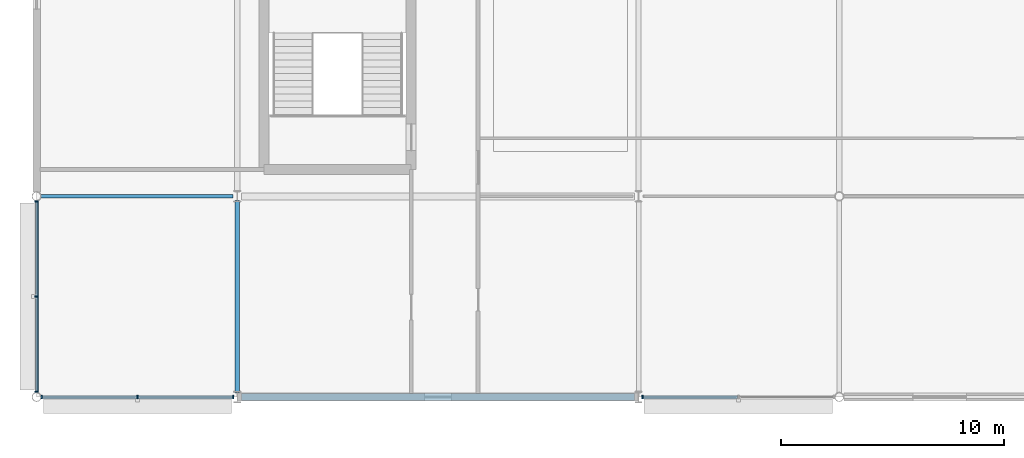
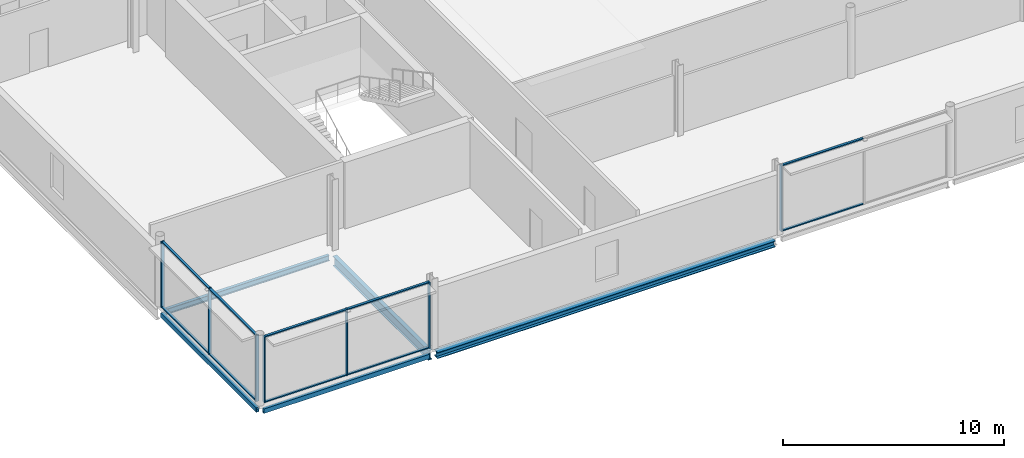
# One storey, part 17 of 96: 17 members, 5 beams, 3 elements without a shape of their own.
"""IFC4 building model written with IfcOpenShell, lengths in metres."""

import ifcopenshell
import ifcopenshell.guid

model = None  # the IFC model being written
_history = None  # IfcOwnerHistory: only IFC2X3 demands one
_inside = {}  # id of a spatial element -> (the spatial element, [elements in it])
_under = {}  # id of a project, library or spatial element -> (it, [spatial elements below it])
_declared = {}  # id of a project -> (the project, [libraries it declares])
_typed = {}  # id of a type object -> (the type object, [elements of that type])
_made_of = {}  # id of a material, layer set ... -> (it, [elements and type objects made of it])


def new_model(schema):
    """Start an empty IFC model of exactly this schema.

    Asked for "IFC4X3", IfcOpenShell would pick the latest addendum, in which some entities
    have other attributes; the version numbers below select the first issue.
    IFC2X3 requires an IfcOwnerHistory on every rooted entity: one is made here for all.
    """
    global model, _history
    if schema == "IFC4X3":
        model = ifcopenshell.file(schema_version=(4, 3, 0, 0))
    else:
        model = ifcopenshell.file(schema=schema)
    _inside.clear()
    _under.clear()
    _declared.clear()
    _typed.clear()
    _made_of.clear()
    _history = None
    if model.schema == "IFC2X3":
        org = make("IfcOrganization", Name="unknown")
        user = make(
            "IfcPersonAndOrganization",
            ThePerson=make("IfcPerson", FamilyName="unknown"),
            TheOrganization=org,
        )
        app = make(
            "IfcApplication",
            ApplicationDeveloper=org,
            Version="unknown",
            ApplicationFullName="unknown",
            ApplicationIdentifier="unknown",
        )
        _history = make(
            "IfcOwnerHistory",
            OwningUser=user,
            OwningApplication=app,
            ChangeAction="ADDED",
            CreationDate=0,
        )
    return model


def make(cls, **values):
    """One entity of the class cls with the attributes given. An attribute that is None is left unset."""
    return model.create_entity(
        cls, **{name: value for name, value in values.items() if value is not None}
    )


def rooted(cls, **values):
    """An entity with a GlobalId (a new one), such as an element, a storey or a relation."""
    return make(cls, GlobalId=ifcopenshell.guid.new(), OwnerHistory=_history, **values)


def si_unit(unit_type, name, prefix=None):
    """IfcSIUnit, for example si_unit("LENGTHUNIT", "METRE", prefix="MILLI")."""
    return make("IfcSIUnit", UnitType=unit_type, Prefix=prefix, Name=name)


def assignment(units):
    """IfcUnitAssignment: the units of a project."""
    return None if units is None else make("IfcUnitAssignment", Units=units)


def point(xyz):
    """IfcCartesianPoint."""
    return None if xyz is None else make("IfcCartesianPoint", Coordinates=xyz)


def direction(xyz):
    """IfcDirection."""
    return None if xyz is None else make("IfcDirection", DirectionRatios=xyz)


def frame(location, z_axis=None, x_axis=None):
    """IfcAxis2Placement3D, a coordinate frame: its origin and axes. An axis left out is left unset."""
    return make(
        "IfcAxis2Placement3D",
        Location=point(location),
        Axis=direction(z_axis),
        RefDirection=direction(x_axis),
    )


def frame_2d(location, x_axis=None):
    """IfcAxis2Placement2D, a coordinate frame in the plane: its origin and x axis."""
    return make(
        "IfcAxis2Placement2D", Location=point(location), RefDirection=direction(x_axis)
    )


def origin():
    """The frame at (0, 0, 0) with its axes left unset."""
    return frame((0.0, 0.0, 0.0))


def origin_2d():
    """The frame at (0, 0) in the plane with its x axis left unset."""
    return frame_2d((0.0, 0.0))


def place(relative_to, where):
    """IfcLocalPlacement: puts the frame where relative to a parent placement (None: the world)."""
    return make(
        "IfcLocalPlacement", PlacementRelTo=relative_to, RelativePlacement=where
    )


def context(
    kind, dimensions, precision=None, world=None, true_north=None, identifier=None
):
    """IfcGeometricRepresentationContext, for example the 3D "Model" context."""
    return make(
        "IfcGeometricRepresentationContext",
        ContextIdentifier=identifier,
        ContextType=kind,
        CoordinateSpaceDimension=dimensions,
        Precision=precision,
        WorldCoordinateSystem=world,
        TrueNorth=true_north,
    )


def subcontext(parent, identifier, kind, view, scale=None):
    """IfcGeometricRepresentationSubContext, for example "Body" below "Model"."""
    return make(
        "IfcGeometricRepresentationSubContext",
        ContextIdentifier=identifier,
        ContextType=kind,
        ParentContext=parent,
        TargetScale=scale,
        TargetView=view,
    )


def project(units=None, contexts=None):
    """IfcProject with its units and contexts."""
    return rooted(
        "IfcProject",
        Name="project",
        RepresentationContexts=contexts,
        UnitsInContext=assignment(units),
    )


def spatial(cls, under=None, at=None, **own):
    """A site, building, storey or space (cls), placed at a placement, below another one or the project."""
    s = rooted(cls, ObjectPlacement=at, **own)
    if under is not None:
        _under.setdefault(under.id(), (under, []))[1].append(s)
    return s


def profile(cls, at=None, kind="AREA", **sizes):
    """A parametric profile (cls). Its sizes go by their IFC names, for example OverallWidth=200.0."""
    return make(cls, ProfileType=kind, Position=at, **sizes)


def rectangle(**sizes):
    """IfcRectangleProfileDef."""
    return profile("IfcRectangleProfileDef", **sizes)


def hollow_rectangle(**sizes):
    """IfcRectangleHollowProfileDef."""
    return profile("IfcRectangleHollowProfileDef", **sizes)


def i_section(**sizes):
    """IfcIShapeProfileDef."""
    return profile("IfcIShapeProfileDef", **sizes)


def extrude(swept, where, along, depth):
    """IfcExtrudedAreaSolid: the profile swept, set in the frame where, extruded along a direction by depth."""
    return make(
        "IfcExtrudedAreaSolid",
        SweptArea=swept,
        Position=where,
        ExtrudedDirection=direction(along),
        Depth=depth,
    )


def shape(context_of_items, identifier, shape_type, items):
    """IfcShapeRepresentation: the items that make up one representation, for example the "Body"."""
    return make(
        "IfcShapeRepresentation",
        ContextOfItems=context_of_items,
        RepresentationIdentifier=identifier,
        RepresentationType=shape_type,
        Items=items,
    )


def material(Name=None, Category=None):
    """IfcMaterial."""
    return make("IfcMaterial", Name=Name, Category=Category)


def layer(
    of_material, thickness, ventilated=None, Name=None, Category=None, Priority=None
):
    """IfcMaterialLayer: one layer of a wall or slab, of a material (None: an air gap)."""
    return make(
        "IfcMaterialLayer",
        Material=of_material,
        LayerThickness=thickness,
        IsVentilated=ventilated,
        Name=Name,
        Category=Category,
        Priority=Priority,
    )


def layer_set(layers, Name=None):
    """IfcMaterialLayerSet."""
    return make("IfcMaterialLayerSet", MaterialLayers=layers, LayerSetName=Name)


def material_profile(
    of_material, cross_section, Name=None, Category=None, Priority=None
):
    """IfcMaterialProfile: a cross section and its material."""
    return make(
        "IfcMaterialProfile",
        Name=Name,
        Material=of_material,
        Profile=cross_section,
        Priority=Priority,
        Category=Category,
    )


def profile_set(profiles, Name=None, composite=None):
    """IfcMaterialProfileSet."""
    return make(
        "IfcMaterialProfileSet",
        Name=Name,
        MaterialProfiles=profiles,
        CompositeProfile=composite,
    )


def made_of(thing, what):
    """Note that an element or type object is made of a material, layer set ...; save() writes the relation."""
    if what is not None:
        _made_of.setdefault(what.id(), (what, []))[1].append(thing)
    return thing


def type_object(cls, material=None, **own):
    """A type object (cls), such as IfcWallType, which elements share."""
    return made_of(rooted(cls, **own), material)


def element(
    cls,
    number,
    at=None,
    inside=None,
    cuts=None,
    type_object=None,
    material=None,
    context=None,
    identifier="Body",
    shape_type=None,
    held_by="IfcProductDefinitionShape",
    body=None,
    shapes=None,
    **own,
):
    """One element of the class cls, such as IfcWall. Its Tag is "e" and its number.

    at: its placement. inside: the storey or other place that contains it. cuts: it is an
    opening in that element (IfcRelVoidsElement). A single representation is given by context,
    identifier, shape_type and body (its items); several are given by shapes. held_by: the class
    of the entity that holds the representations. save() writes the other relations.
    """
    e = rooted(cls, Tag="e%d" % number, ObjectPlacement=at, **own)
    if body is not None:
        shapes = [shape(context, identifier, shape_type, body)]
    if shapes is not None:
        e.Representation = make(held_by, Representations=shapes)
    if inside is not None:
        _inside.setdefault(inside.id(), (inside, []))[1].append(e)
    if cuts is not None:
        rooted(
            "IfcRelVoidsElement", RelatingBuildingElement=cuts, RelatedOpeningElement=e
        )
    if type_object is not None:
        _typed.setdefault(type_object.id(), (type_object, []))[1].append(e)
    return made_of(e, material)


def aggregate(whole, parts):
    """IfcRelAggregates: a whole, such as a stair, and the parts it consists of."""
    return rooted("IfcRelAggregates", RelatingObject=whole, RelatedObjects=parts)


def save(model, path):
    """Write the relations noted so far, then the file.

    IfcRelAggregates (storeys below a building ...), IfcRelContainedInSpatialStructure (elements
    in a storey), IfcRelDefinesByType, IfcRelAssociatesMaterial and IfcRelDeclares: one each for
    every whole, place, type object, material and project.
    """
    for whole, parts in _under.values():
        aggregate(whole, parts)
    for where, things in _inside.values():
        rooted(
            "IfcRelContainedInSpatialStructure",
            RelatedElements=things,
            RelatingStructure=where,
        )
    for kind, things in _typed.values():
        rooted("IfcRelDefinesByType", RelatedObjects=things, RelatingType=kind)
    for what, things in _made_of.values():
        rooted("IfcRelAssociatesMaterial", RelatedObjects=things, RelatingMaterial=what)
    for by, libraries in _declared.values():
        rooted("IfcRelDeclares", RelatingContext=by, RelatedDefinitions=libraries)
    model.write(path)


model = new_model("IFC4")

# Units and contexts
model_context = context("Model", 3, precision=1e-05, world=origin(), true_north=direction((0.0, 1.0)))
body_context = subcontext(model_context, "Body", "Model", "MODEL_VIEW")
ifc_project = project(units=[si_unit("LENGTHUNIT", "METRE"), si_unit("AREAUNIT", "SQUARE_METRE"), si_unit("VOLUMEUNIT", "CUBIC_METRE"), si_unit("PLANEANGLEUNIT", "RADIAN"), si_unit("MASSUNIT", "GRAM", prefix="KILO")], contexts=[model_context])

# Site, building, storey
site_placement = place(None, origin())
site = spatial("IfcSite", under=ifc_project, at=site_placement, CompositionType="ELEMENT")
building_placement = place(site_placement, origin())
building = spatial("IfcBuilding", under=site, at=building_placement, Name="Kisiwana Market Hall", CompositionType="ELEMENT")
storey_placement = place(building_placement, frame((0.0, 0.0, 25.5)))
storey = spatial("IfcBuildingStorey", under=building, at=storey_placement, Name="L05", CompositionType="ELEMENT", Elevation=25.5)

# Beams
ifc_material_1 = material(Name="Steel S355", Category="steel")
ifc_material_profile_1 = material_profile(ifc_material_1, i_section(OverallWidth=0.209228515625, OverallDepth=0.533203125, WebThickness=0.010009765625, FlangeThickness=0.015625, at=origin_2d()), Name="UB 533x210x92")
ifc_profile_set_1 = profile_set([ifc_material_profile_1], Name="Steel S355")
beam_type_1 = type_object("IfcBeamType", Name="BM-GIRD-UB533", PredefinedType="BEAM", material=ifc_profile_set_1)
beam_1_placement = place(storey_placement, frame((9.0, 9.1865234375, -0.58154296875), z_axis=(0.0, 1.0, 0.0), x_axis=(-1.0, 0.0, 0.0)))
element("IfcBeam", 1, at=beam_1_placement, inside=storey, type_object=beam_type_1, Name="Primary girder B-1521", PredefinedType="BEAM", context=body_context, shape_type="SweptSolid", body=[
    extrude(i_section(OverallWidth=0.209228515625, OverallDepth=0.533203125, WebThickness=0.010009765625, FlangeThickness=0.015625, at=origin_2d()), origin(), (0.0, 0.0, 1.0), 8.626953125),
])
ifc_material_2 = material(Name="Steel S355", Category="steel")
ifc_material_profile_2 = material_profile(ifc_material_2, i_section(OverallWidth=0.1650390625, OverallDepth=0.303466796875, WebThickness=0.006103515625, FlangeThickness=0.01025390625, at=origin_2d()), Name="UB 305x165x40")
ifc_profile_set_2 = profile_set([ifc_material_profile_2], Name="Steel S355")
beam_type_2 = type_object("IfcBeamType", Name="BM-JOIST-UB305", PredefinedType="JOIST", material=ifc_profile_set_2)
beam_2_placement = place(storey_placement, frame((0.182373046875, 18.0, -0.466796875), z_axis=(1.0, 0.0, 0.0), x_axis=(0.0, 1.0, 0.0)))
element("IfcBeam", 2, at=beam_2_placement, inside=storey, type_object=beam_type_2, Name="Floor beam B-1603", PredefinedType="JOIST", context=body_context, shape_type="SweptSolid", body=[
    extrude(i_section(OverallWidth=0.1650390625, OverallDepth=0.303466796875, WebThickness=0.006103515625, FlangeThickness=0.01025390625, at=origin_2d()), origin(), (0.0, 0.0, 1.0), 8.624267578125),
])
ifc_material_3 = material(Name="Steel S355", Category="steel")
ifc_material_profile_3 = material_profile(ifc_material_3, i_section(OverallWidth=0.314453125, OverallDepth=0.33984375, WebThickness=0.01904296875, FlangeThickness=0.031494140625, at=origin_2d()), Name="UC 305x305x198")
ifc_profile_set_3 = profile_set([ifc_material_profile_3], Name="Steel S355")
beam_type_3 = type_object("IfcBeamType", Name="BM-SKYBR-CHORD", PredefinedType="BEAM", material=ifc_profile_set_3)
beam_3_placement = place(storey_placement, frame((9.193359375, 9.0, -0.48486328125), z_axis=(1.0, 0.0, 0.0), x_axis=(0.0, 1.0, 0.0)))
element("IfcBeam", 3, at=beam_3_placement, inside=storey, type_object=beam_type_3, Name="Floor beam B-1596", PredefinedType="BEAM", context=body_context, shape_type="SweptSolid", body=[
    extrude(i_section(OverallWidth=0.314453125, OverallDepth=0.33984375, WebThickness=0.01904296875, FlangeThickness=0.031494140625, at=origin_2d()), origin(), (0.0, 0.0, 1.0), 17.61328125),
])
ifc_material_4 = material(Name="Steel S355", Category="steel")
ifc_material_profile_4 = material_profile(ifc_material_4, hollow_rectangle(XDim=0.14990234375, YDim=0.25, WallThickness=0.010009765625, at=origin_2d()), Name="RHS 250x150x10.0")
ifc_profile_set_4 = profile_set([ifc_material_profile_4], Name="Steel S355")
beam_type_4 = type_object("IfcBeamType", Name="BM-SPAN-RHS250", PredefinedType="SPANDREL", material=ifc_profile_set_4)
beam_4_placement = place(storey_placement, frame((0.182373046875, 9.0, -0.43994140625), z_axis=(1.0, 0.0, 0.0), x_axis=(0.0, 1.0, 0.0)))
element("IfcBeam", 4, at=beam_4_placement, inside=storey, type_object=beam_type_4, Name="Floor beam B-1595", PredefinedType="SPANDREL", context=body_context, shape_type="SweptSolid", body=[
    extrude(hollow_rectangle(XDim=0.14990234375, YDim=0.25, WallThickness=0.010009765625, at=origin_2d()), origin(), (0.0, 0.0, 1.0), 8.624267578125),
])
beam_5_placement = place(storey_placement, frame((0.0, 9.18017578125, -0.43994140625), z_axis=(0.0, 1.0, 0.0), x_axis=(-1.0, 0.0, 0.0)))
element("IfcBeam", 5, at=beam_5_placement, inside=storey, type_object=beam_type_4, Name="Floor beam B-1669", PredefinedType="SPANDREL", context=body_context, shape_type="SweptSolid", body=[
    extrude(hollow_rectangle(XDim=0.14990234375, YDim=0.25, WallThickness=0.010009765625, at=origin_2d()), origin(), (0.0, 0.0, 1.0), 8.6396484375),
])

# Curtain wall, members
ifc_material_5 = material(Name="Double-glazed solar-control low-E IGU", Category="glass")
ifc_layer = layer(ifc_material_5, 0.159912109375)
ifc_layer_set = layer_set([ifc_layer], Name="CW-ZNA-EW-8200")
curtain_wall_type = type_object("IfcCurtainWallType", Name="CW-ZNA-EW-8200", PredefinedType="USERDEFINED", material=ifc_layer_set)
curtain_wall_1_placement = place(storey_placement, origin())
curtain_wall_1 = element("IfcCurtainWall", 6, at=curtain_wall_1_placement, inside=storey, type_object=curtain_wall_type, Name="Unitised curtain wall CW-129 (L05)", ObjectType="UNITISED CURTAIN WALL", PredefinedType="USERDEFINED")
ifc_material_6 = material(Name="Aluminium alloy 6063-T6", Category="aluminium")
ifc_material_profile_5 = material_profile(ifc_material_6, rectangle(XDim=0.06005859375, YDim=0.159912109375, at=origin_2d()), Name="ALU MULLION 60x160")
ifc_profile_set_5 = profile_set([ifc_material_profile_5], Name="Aluminium alloy 6063-T6")
member_type_1 = type_object("IfcMemberType", Name="CW-MULL-60x160", PredefinedType="MULLION", material=ifc_profile_set_5)
member_1_placement = place(storey_placement, frame((0.233154296875, 9.0, 0.0), z_axis=(0.0, 0.0, 1.0), x_axis=(1.0, 0.0, 0.0)))
member_1 = element("IfcMember", 7, at=member_1_placement, type_object=member_type_1, Name="CW-129 mullion 1", PredefinedType="MULLION", context=body_context, shape_type="SweptSolid", body=[
    extrude(rectangle(XDim=0.06005859375, YDim=0.159912109375, at=origin_2d()), origin(), (0.0, 0.0, 1.0), 3.655029296875),
])
member_2_placement = place(storey_placement, frame((4.526611328125, 9.0, 0.0), z_axis=(0.0, 0.0, 1.0), x_axis=(1.0, 0.0, 0.0)))
member_2 = element("IfcMember", 8, at=member_2_placement, type_object=member_type_1, Name="CW-129 mullion 2", PredefinedType="MULLION", context=body_context, shape_type="SweptSolid", body=[
    extrude(rectangle(XDim=0.06005859375, YDim=0.159912109375, at=origin_2d()), origin(), (0.0, 0.0, 1.0), 3.655029296875),
])
member_3_placement = place(storey_placement, frame((8.820068359375, 9.0, 0.0), z_axis=(0.0, 0.0, 1.0), x_axis=(1.0, 0.0, 0.0)))
member_3 = element("IfcMember", 9, at=member_3_placement, type_object=member_type_1, Name="CW-129 mullion 3", PredefinedType="MULLION", context=body_context, shape_type="SweptSolid", body=[
    extrude(rectangle(XDim=0.06005859375, YDim=0.159912109375, at=origin_2d()), origin(), (0.0, 0.0, 1.0), 3.655029296875),
])

# Curtain wall, member
curtain_wall_2_placement = place(storey_placement, origin())
curtain_wall_2 = element("IfcCurtainWall", 10, at=curtain_wall_2_placement, inside=storey, type_object=curtain_wall_type, Name="Unitised curtain wall CW-130 (L05)", ObjectType="UNITISED CURTAIN WALL", PredefinedType="USERDEFINED")
member_4_placement = place(storey_placement, frame((27.179931640625, 9.0, 0.0), z_axis=(0.0, 0.0, 1.0), x_axis=(1.0, 0.0, 0.0)))
member_4 = element("IfcMember", 11, at=member_4_placement, type_object=member_type_1, Name="CW-130 mullion 1", PredefinedType="MULLION", context=body_context, shape_type="SweptSolid", body=[
    extrude(rectangle(XDim=0.06005859375, YDim=0.159912109375, at=origin_2d()), origin(), (0.0, 0.0, 1.0), 3.655029296875),
])

# Curtain wall, members
curtain_wall_3_placement = place(storey_placement, origin())
curtain_wall_3 = element("IfcCurtainWall", 12, at=curtain_wall_3_placement, inside=storey, type_object=curtain_wall_type, Name="Unitised curtain wall CW-159 (L05)", ObjectType="UNITISED CURTAIN WALL", PredefinedType="USERDEFINED")
member_5_placement = place(storey_placement, frame((0.0, 9.233154296875, 0.0), z_axis=(0.0, 0.0, 1.0), x_axis=(0.0, 1.0, 0.0)))
member_5 = element("IfcMember", 13, at=member_5_placement, type_object=member_type_1, Name="CW-159 mullion 1", PredefinedType="MULLION", context=body_context, shape_type="SweptSolid", body=[
    extrude(rectangle(XDim=0.06005859375, YDim=0.159912109375, at=origin_2d()), origin(), (0.0, 0.0, 1.0), 3.655029296875),
])
member_6_placement = place(storey_placement, frame((0.0, 13.5, 0.0), z_axis=(0.0, 0.0, 1.0), x_axis=(0.0, 1.0, 0.0)))
member_6 = element("IfcMember", 14, at=member_6_placement, type_object=member_type_1, Name="CW-159 mullion 2", PredefinedType="MULLION", context=body_context, shape_type="SweptSolid", body=[
    extrude(rectangle(XDim=0.06005859375, YDim=0.159912109375, at=origin_2d()), origin(), (0.0, 0.0, 1.0), 3.655029296875),
])
member_7_placement = place(storey_placement, frame((0.0, 17.766845703125, 0.0), z_axis=(0.0, 0.0, 1.0), x_axis=(0.0, 1.0, 0.0)))
member_7 = element("IfcMember", 15, at=member_7_placement, type_object=member_type_1, Name="CW-159 mullion 3", PredefinedType="MULLION", context=body_context, shape_type="SweptSolid", body=[
    extrude(rectangle(XDim=0.06005859375, YDim=0.159912109375, at=origin_2d()), origin(), (0.0, 0.0, 1.0), 3.655029296875),
])

# Member
ifc_material_7 = material(Name="Aluminium alloy 6063-T6", Category="aluminium")
ifc_material_profile_6 = material_profile(ifc_material_7, rectangle(XDim=0.1201171875, YDim=0.06005859375, at=origin_2d()), Name="ALU TRANSOM 60x120")
ifc_profile_set_6 = profile_set([ifc_material_profile_6], Name="Aluminium alloy 6063-T6")
member_type_2 = type_object("IfcMemberType", Name="CW-TRAN-60x120", PredefinedType="USERDEFINED", material=ifc_profile_set_6)
member_8_placement = place(storey_placement, frame((0.26318359375, 9.0, 0.030029296875), z_axis=(1.0, 0.0, 0.0), x_axis=(0.0, 1.0, 0.0)))
member_8 = element("IfcMember", 16, at=member_8_placement, type_object=member_type_2, Name="CW-129 transom 1.1", ObjectType="TRANSOM", PredefinedType="USERDEFINED", context=body_context, shape_type="SweptSolid", body=[
    extrude(rectangle(XDim=0.1201171875, YDim=0.06005859375, at=origin_2d()), origin(), (0.0, 0.0, 1.0), 4.2333984375),
])

member_9_placement = place(storey_placement, frame((0.26318359375, 9.0, 3.625), z_axis=(1.0, 0.0, 0.0), x_axis=(0.0, 1.0, 0.0)))
member_9 = element("IfcMember", 17, at=member_9_placement, type_object=member_type_2, Name="CW-129 transom 1.2", ObjectType="TRANSOM", PredefinedType="USERDEFINED", context=body_context, shape_type="SweptSolid", body=[
    extrude(rectangle(XDim=0.1201171875, YDim=0.06005859375, at=origin_2d()), origin(), (0.0, 0.0, 1.0), 4.2333984375),
])

member_10_placement = place(storey_placement, frame((4.556640625, 9.0, 0.030029296875), z_axis=(1.0, 0.0, 0.0), x_axis=(0.0, 1.0, 0.0)))
member_10 = element("IfcMember", 18, at=member_10_placement, type_object=member_type_2, Name="CW-129 transom 2.1", ObjectType="TRANSOM", PredefinedType="USERDEFINED", context=body_context, shape_type="SweptSolid", body=[
    extrude(rectangle(XDim=0.1201171875, YDim=0.06005859375, at=origin_2d()), origin(), (0.0, 0.0, 1.0), 4.2333984375),
])

member_11_placement = place(storey_placement, frame((4.556640625, 9.0, 3.625), z_axis=(1.0, 0.0, 0.0), x_axis=(0.0, 1.0, 0.0)))
member_11 = element("IfcMember", 19, at=member_11_placement, type_object=member_type_2, Name="CW-129 transom 2.2", ObjectType="TRANSOM", PredefinedType="USERDEFINED", context=body_context, shape_type="SweptSolid", body=[
    extrude(rectangle(XDim=0.1201171875, YDim=0.06005859375, at=origin_2d()), origin(), (0.0, 0.0, 1.0), 4.2333984375),
])

aggregate(curtain_wall_1, [member_1, member_2, member_3, member_8, member_9, member_10, member_11])

member_12_placement = place(storey_placement, frame((27.2099609375, 9.0, 0.030029296875), z_axis=(1.0, 0.0, 0.0), x_axis=(0.0, 1.0, 0.0)))
member_12 = element("IfcMember", 20, at=member_12_placement, type_object=member_type_2, Name="CW-130 transom 1.1", ObjectType="TRANSOM", PredefinedType="USERDEFINED", context=body_context, shape_type="SweptSolid", body=[
    extrude(rectangle(XDim=0.1201171875, YDim=0.06005859375, at=origin_2d()), origin(), (0.0, 0.0, 1.0), 4.2333984375),
])

member_13_placement = place(storey_placement, frame((27.2099609375, 9.0, 3.625), z_axis=(1.0, 0.0, 0.0), x_axis=(0.0, 1.0, 0.0)))
member_13 = element("IfcMember", 21, at=member_13_placement, type_object=member_type_2, Name="CW-130 transom 1.2", ObjectType="TRANSOM", PredefinedType="USERDEFINED", context=body_context, shape_type="SweptSolid", body=[
    extrude(rectangle(XDim=0.1201171875, YDim=0.06005859375, at=origin_2d()), origin(), (0.0, 0.0, 1.0), 4.2333984375),
])

aggregate(curtain_wall_2, [member_4, member_12, member_13])

member_14_placement = place(storey_placement, frame((0.0, 9.26318359375, 0.030029296875), z_axis=(0.0, 1.0, 0.0), x_axis=(-1.0, 0.0, 0.0)))
member_14 = element("IfcMember", 22, at=member_14_placement, type_object=member_type_2, Name="CW-159 transom 1.1", ObjectType="TRANSOM", PredefinedType="USERDEFINED", context=body_context, shape_type="SweptSolid", body=[
    extrude(rectangle(XDim=0.1201171875, YDim=0.06005859375, at=origin_2d()), origin(), (0.0, 0.0, 1.0), 4.206787109375),
])

member_15_placement = place(storey_placement, frame((0.0, 9.26318359375, 3.625), z_axis=(0.0, 1.0, 0.0), x_axis=(-1.0, 0.0, 0.0)))
member_15 = element("IfcMember", 23, at=member_15_placement, type_object=member_type_2, Name="CW-159 transom 1.2", ObjectType="TRANSOM", PredefinedType="USERDEFINED", context=body_context, shape_type="SweptSolid", body=[
    extrude(rectangle(XDim=0.1201171875, YDim=0.06005859375, at=origin_2d()), origin(), (0.0, 0.0, 1.0), 4.206787109375),
])

member_16_placement = place(storey_placement, frame((0.0, 13.530029296875, 0.030029296875), z_axis=(0.0, 1.0, 0.0), x_axis=(-1.0, 0.0, 0.0)))
member_16 = element("IfcMember", 24, at=member_16_placement, type_object=member_type_2, Name="CW-159 transom 2.1", ObjectType="TRANSOM", PredefinedType="USERDEFINED", context=body_context, shape_type="SweptSolid", body=[
    extrude(rectangle(XDim=0.1201171875, YDim=0.06005859375, at=origin_2d()), origin(), (0.0, 0.0, 1.0), 4.206787109375),
])

member_17_placement = place(storey_placement, frame((0.0, 13.530029296875, 3.625), z_axis=(0.0, 1.0, 0.0), x_axis=(-1.0, 0.0, 0.0)))
member_17 = element("IfcMember", 25, at=member_17_placement, type_object=member_type_2, Name="CW-159 transom 2.2", ObjectType="TRANSOM", PredefinedType="USERDEFINED", context=body_context, shape_type="SweptSolid", body=[
    extrude(rectangle(XDim=0.1201171875, YDim=0.06005859375, at=origin_2d()), origin(), (0.0, 0.0, 1.0), 4.206787109375),
])

aggregate(curtain_wall_3, [member_5, member_6, member_7, member_14, member_15, member_16, member_17])

save(model, "model.ifc")
